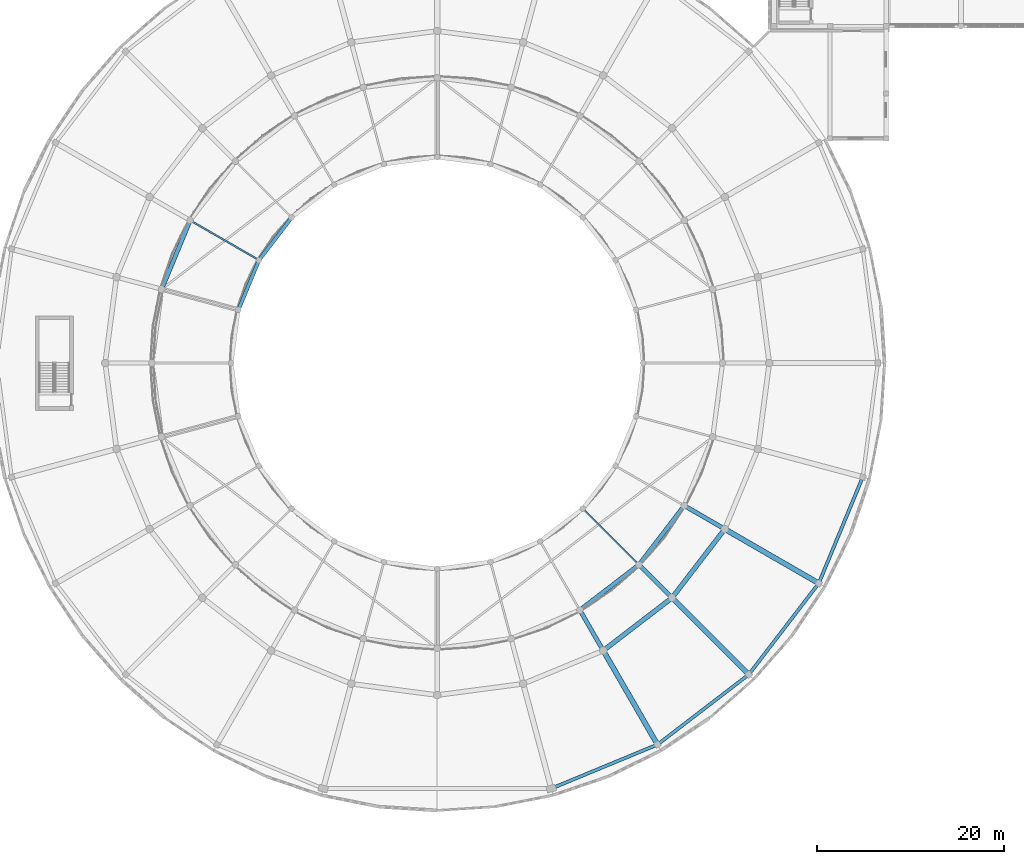
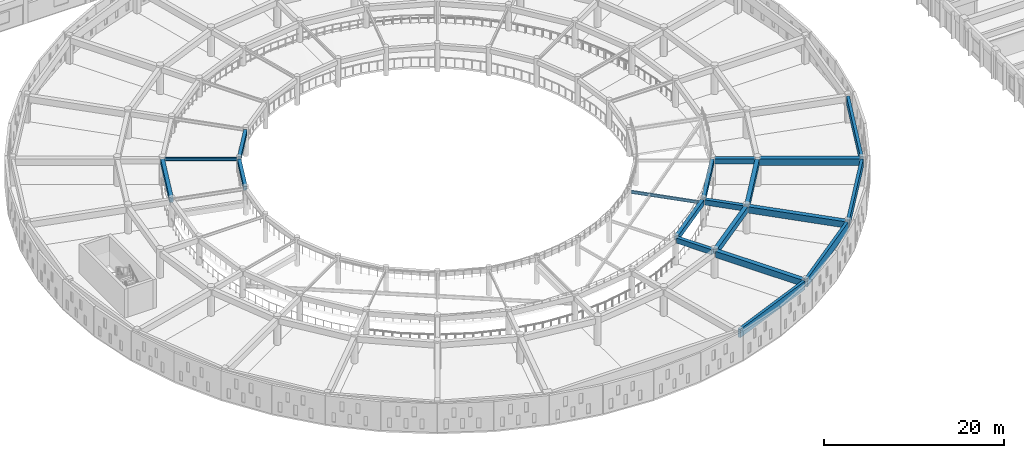
# One storey, part 11 of 98: 19 beams.
"""IFC4 building model written with IfcOpenShell, lengths in metres."""

from ifc_helpers import new_model, si_unit, direction, frame, origin, origin_2d, place, context, subcontext, project, spatial, rectangle, i_section, extrude, material, material_profile, profile_set, type_object, element, save


model = new_model("IFC4")

# Units and contexts
model_context = context("Model", 3, precision=1e-05, world=origin(), true_north=direction((0.0, 1.0)))
body_context = subcontext(model_context, "Body", "Model", "MODEL_VIEW")
ifc_project = project(units=[si_unit("LENGTHUNIT", "METRE"), si_unit("AREAUNIT", "SQUARE_METRE"), si_unit("VOLUMEUNIT", "CUBIC_METRE"), si_unit("PLANEANGLEUNIT", "RADIAN"), si_unit("MASSUNIT", "GRAM", prefix="KILO")], contexts=[model_context])

# Site, building, storey
site_placement = place(None, origin())
site = spatial("IfcSite", under=ifc_project, at=site_placement, CompositionType="ELEMENT")
building_placement = place(site_placement, origin())
building = spatial("IfcBuilding", under=site, at=building_placement, Name="Larkveld Mobility Hub", CompositionType="ELEMENT")
storey_placement = place(building_placement, frame((0.0, 0.0, 4.5)))
storey = spatial("IfcBuildingStorey", under=building, at=storey_placement, Name="L01", CompositionType="ELEMENT", Elevation=4.5)

# Beams
ifc_material_1 = material(Name="Concrete C40/50", Category="concrete")
ifc_material_profile_1 = material_profile(ifc_material_1, rectangle(XDim=0.39990234375, YDim=0.60009765625, at=origin_2d()), Name="RC BM 400x600")
ifc_profile_set_1 = profile_set([ifc_material_profile_1], Name="Concrete C40/50")
beam_type_1 = type_object("IfcBeamType", Name="BM-RC4060", PredefinedType="BEAM", material=ifc_profile_set_1)
beam_1_placement = place(storey_placement, frame((32.298095703125, 63.365966796875, 3.3349609375), z_axis=(-0.608845256975, -0.793289009793, 0.0), x_axis=(0.793289009793, -0.608845256975, 0.0)))
element("IfcBeam", 1, at=beam_1_placement, inside=storey, type_object=beam_type_1, Name="Drum Chord Ring Beam L01-1490", PredefinedType="BEAM", context=body_context, shape_type="SweptSolid", body=[
    extrude(rectangle(XDim=0.39990234375, YDim=0.60009765625, at=origin_2d()), origin(), (0.0, 0.0, 1.0), 5.26416015625),
])
beam_2_placement = place(storey_placement, frame((28.85498046875, 58.778076171875, 3.3349609375), z_axis=(-0.382522527323, -0.923946165147, 0.0), x_axis=(0.923946165147, -0.382522527323, 0.0)))
element("IfcBeam", 2, at=beam_2_placement, inside=storey, type_object=beam_type_1, Name="Drum Chord Ring Beam L01-1494", PredefinedType="BEAM", context=body_context, shape_type="SweptSolid", body=[
    extrude(rectangle(XDim=0.39990234375, YDim=0.60009765625, at=origin_2d()), origin(), (0.0, 0.0, 1.0), 5.26220703125),
])
ifc_material_profile_2 = material_profile(ifc_material_1, rectangle(XDim=0.449951171875, YDim=0.699951171875, at=origin_2d()), Name="RC BM 450x700")
ifc_profile_set_2 = profile_set([ifc_material_profile_2], Name="Concrete C40/50")
beam_type_2 = type_object("IfcBeamType", Name="BM-RC4570", PredefinedType="BEAM", material=ifc_profile_set_2)
beam_3_placement = place(storey_placement, frame((63.3701171875, 21.3779296875, 3.284912109375), z_axis=(0.50002017008, -0.86601375827, 0.0), x_axis=(0.86601375827, 0.50002017008, 0.0)))
element("IfcBeam", 3, at=beam_3_placement, inside=storey, type_object=beam_type_2, Name="Drum Radial Girder L01-1443", PredefinedType="BEAM", context=body_context, shape_type="SweptSolid", body=[
    extrude(rectangle(XDim=0.449951171875, YDim=0.699951171875, at=origin_2d()), origin(), (0.0, 0.0, 1.0), 4.519287109375),
])
beam_4_placement = place(storey_placement, frame((69.737060546875, 26.262939453125, 3.284912109375), z_axis=(0.707106781187, -0.707106781187, 0.0), x_axis=(0.707106781187, 0.707106781187, 0.0)))
element("IfcBeam", 4, at=beam_4_placement, inside=storey, type_object=beam_type_2, Name="Drum Radial Girder L01-1446", PredefinedType="BEAM", context=body_context, shape_type="SweptSolid", body=[
    extrude(rectangle(XDim=0.449951171875, YDim=0.699951171875, at=origin_2d()), origin(), (0.0, 0.0, 1.0), 4.51806640625),
])
beam_5_placement = place(storey_placement, frame((74.6220703125, 32.6298828125, 3.284912109375), z_axis=(0.86601375827, -0.50002017008, 0.0), x_axis=(0.50002017008, 0.86601375827, 0.0)))
element("IfcBeam", 5, at=beam_5_placement, inside=storey, type_object=beam_type_2, Name="Drum Radial Girder L01-1449", PredefinedType="BEAM", context=body_context, shape_type="SweptSolid", body=[
    extrude(rectangle(XDim=0.449951171875, YDim=0.699951171875, at=origin_2d()), origin(), (0.0, 0.0, 1.0), 4.519287109375),
])
beam_6_placement = place(storey_placement, frame((21.493896484375, 63.028076171875, 3.284912109375), z_axis=(-0.382649607255, -0.923893542605, 0.0), x_axis=(0.923893542605, -0.382649607255, 0.0)))
element("IfcBeam", 6, at=beam_6_placement, inside=storey, type_object=beam_type_2, Name="Drum Chord Ring Beam L01-1495", PredefinedType="BEAM", context=body_context, shape_type="SweptSolid", body=[
    extrude(rectangle(XDim=0.449951171875, YDim=0.699951171875, at=origin_2d()), origin(), (0.0, 0.0, 1.0), 7.4814453125),
])
for number, where, z_axis, x_axis, name in (
    (7, (63.43994140625, 21.73193359375, 3.284912109375), (0.793382610721, 0.608723281143, 0.0), (-0.608723281143, 0.793382610721, 0.0), "Drum Chord Ring Beam L01-1534"),
    (8, (69.712890625, 26.623046875, 3.284912109375), (0.608723281143, 0.793382610721, 0.0), (-0.793382610721, 0.608723281143, 0.0), "Drum Chord Ring Beam L01-1538"),
):
    element("IfcBeam", number, at=place(storey_placement, frame(where, z_axis=z_axis, x_axis=x_axis)), inside=storey, type_object=beam_type_2, Name=name, PredefinedType="BEAM", context=body_context, shape_type="SweptSolid", body=[
        extrude(rectangle(XDim=0.449951171875, YDim=0.699951171875, at=origin_2d()), origin(), (0.0, 0.0, 1.0), 7.483154296875),
    ])
ifc_material_profile_3 = material_profile(ifc_material_1, rectangle(XDim=0.5, YDim=0.800048828125, at=origin_2d()), Name="RC BM 500x800")
ifc_profile_set_3 = profile_set([ifc_material_profile_3], Name="Concrete C40/50")
beam_type_3 = type_object("IfcBeamType", Name="BM-RC5080", PredefinedType="BEAM", material=ifc_profile_set_3)
for number, where, z_axis, x_axis, name in (
    (9, (65.93994140625, 17.402099609375, 3.235107421875), (0.793357689021, 0.608755761591, 0.0), (-0.608755761591, 0.793357689021, 0.0), "Drum Chord Ring Beam L01-1535"),
    (10, (73.248046875, 23.087890625, 3.235107421875), (0.608755761591, 0.793357689021, 0.0), (-0.793357689021, 0.608755761591, 0.0), "Drum Chord Ring Beam L01-1539"),
):
    element("IfcBeam", number, at=place(storey_placement, frame(where, z_axis=z_axis, x_axis=x_axis)), inside=storey, type_object=beam_type_3, Name=name, PredefinedType="BEAM", context=body_context, shape_type="SweptSolid", body=[
        extrude(rectangle(XDim=0.5, YDim=0.800048828125, at=origin_2d()), origin(), (0.0, 0.0, 1.0), 8.7880859375),
    ])
ifc_material_profile_4 = material_profile(ifc_material_1, rectangle(XDim=0.550048828125, YDim=0.85009765625, at=origin_2d()), Name="RC BM 550x850")
ifc_profile_set_4 = profile_set([ifc_material_profile_4], Name="Concrete C40/50")
beam_type_4 = type_object("IfcBeamType", Name="BM-RC5585", PredefinedType="BEAM", material=ifc_profile_set_4)
beam_7_placement = place(storey_placement, frame((65.8701171875, 17.048095703125, 3.2099609375), z_axis=(0.499990426839, -0.866030930781, 0.0), x_axis=(0.866030930781, 0.499990426839, 0.0)))
element("IfcBeam", 11, at=beam_7_placement, inside=storey, type_object=beam_type_4, Name="Drum Radial Girder L01-1444", PredefinedType="BEAM", context=body_context, shape_type="SweptSolid", body=[
    extrude(rectangle(XDim=0.550048828125, YDim=0.85009765625, at=origin_2d()), origin(), (0.0, 0.0, 1.0), 11.119873046875),
])
beam_8_placement = place(storey_placement, frame((73.27197265625, 22.72802734375, 3.2099609375), z_axis=(0.707106781187, -0.707106781187, 0.0), x_axis=(0.707106781187, 0.707106781187, 0.0)))
element("IfcBeam", 12, at=beam_8_placement, inside=storey, type_object=beam_type_4, Name="Drum Radial Girder L01-1447", PredefinedType="BEAM", context=body_context, shape_type="SweptSolid", body=[
    extrude(rectangle(XDim=0.550048828125, YDim=0.85009765625, at=origin_2d()), origin(), (0.0, 0.0, 1.0), 11.1201171875),
])
beam_9_placement = place(storey_placement, frame((78.951904296875, 30.1298828125, 3.2099609375), z_axis=(0.866030930781, -0.499990426839, 0.0), x_axis=(0.499990426839, 0.866030930781, 0.0)))
element("IfcBeam", 13, at=beam_9_placement, inside=storey, type_object=beam_type_4, Name="Drum Radial Girder L01-1450", PredefinedType="BEAM", context=body_context, shape_type="SweptSolid", body=[
    extrude(rectangle(XDim=0.550048828125, YDim=0.85009765625, at=origin_2d()), origin(), (0.0, 0.0, 1.0), 11.119873046875),
])
ifc_material_2 = material(Name="Precast concrete C50/60", Category="concrete")
ifc_material_profile_5 = material_profile(ifc_material_2, rectangle(XDim=0.35009765625, YDim=1.14990234375, at=origin_2d()), Name="PC SP 350x1150")
ifc_profile_set_5 = profile_set([ifc_material_profile_5], Name="Precast concrete C50/60")
beam_type_5 = type_object("IfcBeamType", Name="BM-SP35115", PredefinedType="SPANDREL", material=ifc_profile_set_5)
beam_10_placement = place(storey_placement, frame((60.412109375, 2.596923828125, 3.06005859375), z_axis=(0.923893431655, 0.38264987514, 0.0), x_axis=(-0.38264987514, 0.923893431655, 0.0)))
element("IfcBeam", 14, at=beam_10_placement, inside=storey, type_object=beam_type_5, Name="Drum Chord Ring Beam L01-1532", PredefinedType="SPANDREL", context=body_context, shape_type="SweptSolid", body=[
    extrude(rectangle(XDim=0.35009765625, YDim=1.14990234375, at=origin_2d()), origin(), (0.0, 0.0, 1.0), 11.81494140625),
])
for number, where, z_axis, x_axis, name in (
    (15, (71.739990234375, 7.35595703125, 3.06005859375), (0.79337685225, 0.608730786402, 0.0), (-0.608730786402, 0.79337685225, 0.0), "Drum Chord Ring Beam L01-1536"),
    (16, (81.450927734375, 14.885009765625, 3.06005859375), (0.608730786402, 0.79337685225, 0.0), (-0.79337685225, 0.608730786402, 0.0), "Drum Chord Ring Beam L01-1540"),
):
    element("IfcBeam", number, at=place(storey_placement, frame(where, z_axis=z_axis, x_axis=x_axis)), inside=storey, type_object=beam_type_5, Name=name, PredefinedType="SPANDREL", context=body_context, shape_type="SweptSolid", body=[
        extrude(rectangle(XDim=0.35009765625, YDim=1.14990234375, at=origin_2d()), origin(), (0.0, 0.0, 1.0), 11.816650390625),
    ])
beam_11_placement = place(storey_placement, frame((88.882080078125, 24.672119140625, 3.06005859375), z_axis=(0.38264987514, 0.923893431655, 0.0), x_axis=(-0.923893431655, 0.38264987514, 0.0)))
element("IfcBeam", 17, at=beam_11_placement, inside=storey, type_object=beam_type_5, Name="Drum Chord Ring Beam L01-1544", PredefinedType="SPANDREL", context=body_context, shape_type="SweptSolid", body=[
    extrude(rectangle(XDim=0.35009765625, YDim=1.14990234375, at=origin_2d()), origin(), (0.0, 0.0, 1.0), 11.81494140625),
])
ifc_material_3 = material(Name="Steel S355JR", Category="steel")
ifc_material_profile_6 = material_profile(ifc_material_3, i_section(OverallWidth=0.179931640625, OverallDepth=0.39990234375, WebThickness=0.008544921875, FlangeThickness=0.013427734375, FilletRadius=0.02099609375, at=origin_2d()), Name="IPE 400")
ifc_profile_set_6 = profile_set([ifc_material_profile_6], Name="Steel S355JR")
beam_type_6 = type_object("IfcBeamType", Name="BM-STIPE400", PredefinedType="BEAM", material=ifc_profile_set_6)
beam_12_placement = place(storey_placement, frame((28.739013671875, 59.1201171875, 3.43505859375), z_axis=(-0.86602386286, 0.50000266895, 0.0), x_axis=(-0.50000266895, -0.86602386286, 0.0)))
element("IfcBeam", 18, at=beam_12_placement, inside=storey, type_object=beam_type_6, Name="Drum Radial Girder L01-1414", PredefinedType="BEAM", context=body_context, shape_type="SweptSolid", body=[
    extrude(i_section(OverallWidth=0.179931640625, OverallDepth=0.39990234375, WebThickness=0.008544921875, FlangeThickness=0.013427734375, FilletRadius=0.02099609375, at=origin_2d()), origin(), (0.0, 0.0, 1.0), 8.01953125),
])
beam_13_placement = place(storey_placement, frame((63.72607421875, 32.27392578125, 3.044921875), z_axis=(0.707106781187, -0.707106781187, 0.0), x_axis=(0.707106781187, 0.707106781187, 0.0)))
element("IfcBeam", 19, at=beam_13_placement, inside=storey, type_object=beam_type_6, Name="Drum Radial Girder L01-1445", PredefinedType="BEAM", context=body_context, shape_type="SweptSolid", body=[
    extrude(i_section(OverallWidth=0.179931640625, OverallDepth=0.39990234375, WebThickness=0.008544921875, FlangeThickness=0.013427734375, FilletRadius=0.02099609375, at=origin_2d()), origin(), (0.0, 0.0, 1.0), 8.019775390625),
])

save(model, "model.ifc")
